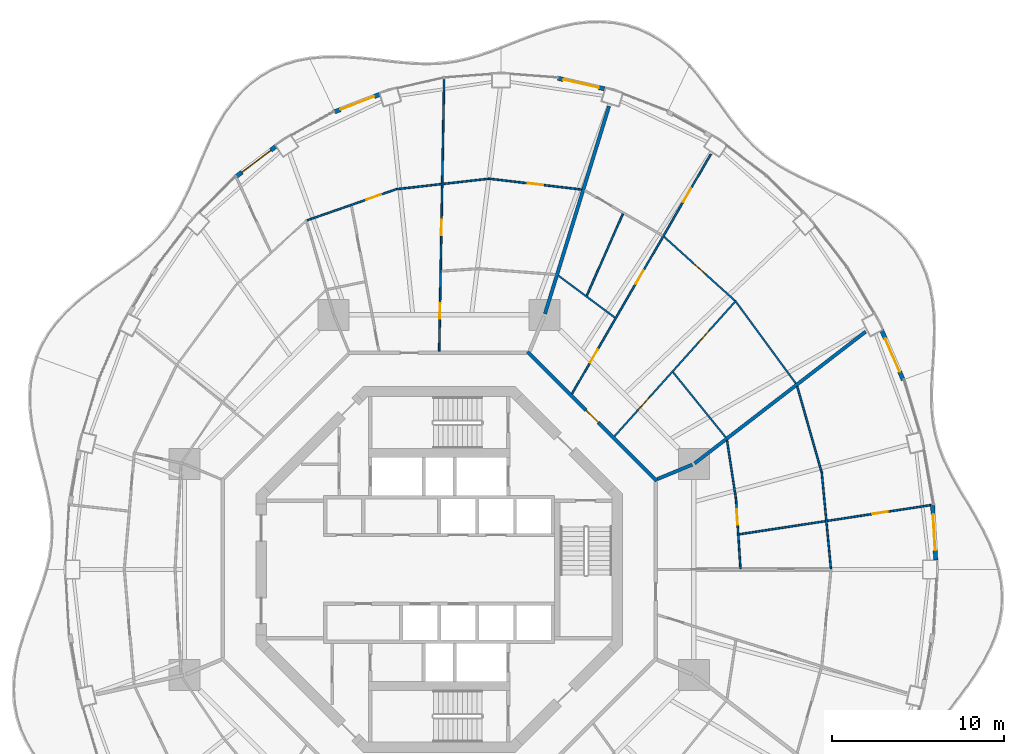
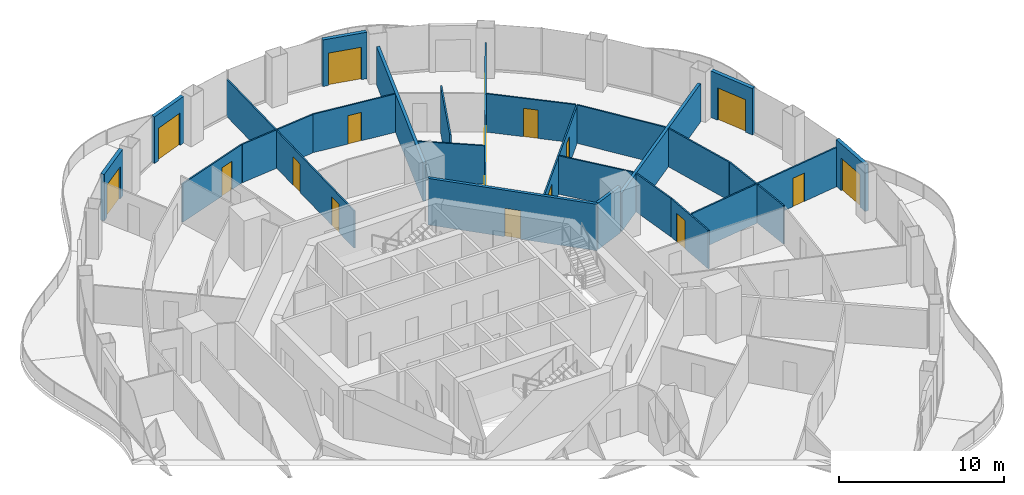
# One storey, part 15 of 19: 25 walls, 18 doors, 18 openings.
"""IFC4 building model written with IfcOpenShell, lengths in metres."""

from ifc_helpers import new_model, si_unit, direction, frame, frame_2d, origin, place, context, subcontext, project, spatial, rectangle, extrude, material, layer, layer_set, type_object, element, fill, save


model = new_model("IFC4")

# Units and contexts
model_context = context("Model", 3, precision=1e-05, world=origin(), true_north=direction((0.0, 1.0)))
body_context = subcontext(model_context, "Body", "Model", "MODEL_VIEW")
ifc_project = project(units=[si_unit("LENGTHUNIT", "METRE"), si_unit("AREAUNIT", "SQUARE_METRE"), si_unit("VOLUMEUNIT", "CUBIC_METRE"), si_unit("PLANEANGLEUNIT", "RADIAN"), si_unit("MASSUNIT", "GRAM", prefix="KILO")], contexts=[model_context])

# Site, building, storey
site_placement = place(None, origin())
site = spatial("IfcSite", under=ifc_project, at=site_placement, CompositionType="ELEMENT")
building_placement = place(site_placement, origin())
building = spatial("IfcBuilding", under=site, at=building_placement, Name="Nagisa Residences", CompositionType="ELEMENT")
storey_placement = place(building_placement, frame((0.0, 0.0, 180.699951171875)))
storey = spatial("IfcBuildingStorey", under=building, at=storey_placement, Name="L45", CompositionType="ELEMENT", Elevation=180.699951171875)

# Walls
ifc_material_1 = material(Name="Gypsum board on steel studs", Category="steel")
ifc_layer_1 = layer(ifc_material_1, 0.199951171875)
ifc_layer_set_1 = layer_set([ifc_layer_1], Name="Apartment compartment wall EI60 200")
wall_type_1 = type_object("IfcWallType", Name="Apartment compartment wall EI60 200", PredefinedType="PARTITIONING", material=ifc_layer_set_1)
wall_1_placement = place(storey_placement, frame((12.6572265625, 5.24267578125, 0.0), z_axis=(0.0, 0.0, 1.0), x_axis=(0.92383017907, 0.382802560388, 0.0)))
element("IfcWall", 1, at=wall_1_placement, inside=storey, type_object=wall_type_1, Name="wall:L45:u00", PredefinedType="PARTITIONING", context=body_context, shape_type="SweptSolid", body=[
    extrude(rectangle(XDim=2.2001953125, YDim=0.199951171875, at=frame_2d((1.10009765625, 0.0))), origin(), (0.0, 0.0, 1.0), 3.43994140625),
])
wall_2_placement = place(storey_placement, frame((14.82177734375, 6.153564453125, 0.0), z_axis=(0.0, 0.0, 1.0), x_axis=(0.792203056092, 0.610257583254, 0.0)))
element("IfcWall", 2, at=wall_2_placement, inside=storey, type_object=wall_type_1, Name="wall:L45:u01", PredefinedType="PARTITIONING", context=body_context, shape_type="SweptSolid", body=[
    extrude(rectangle(XDim=12.53271484375, YDim=0.199951171875, at=frame_2d((6.266357421875, 0.0))), origin(), (0.0, 0.0, 1.0), 2.837158203125),
])
wall_3_placement = place(storey_placement, frame((6.1376953125, 14.829833984375, 0.0), z_axis=(0.0, 0.0, 1.0), x_axis=(0.294818517221, 0.955553264818, 0.0)))
element("IfcWall", 3, at=wall_3_placement, inside=storey, type_object=wall_type_1, Name="wall:L45:u03", PredefinedType="PARTITIONING", context=body_context, shape_type="SweptSolid", body=[
    extrude(rectangle(XDim=12.619384765625, YDim=0.199951171875, at=frame_2d((6.3095703125, 0.0))), origin(), (0.0, 0.0, 1.0), 2.837158203125),
])

# Wall, opening, door
ifc_material_2 = material(Name="Gypsum board on steel studs", Category="steel")
ifc_layer_2 = layer(ifc_material_2, 0.199951171875)
ifc_layer_set_2 = layer_set([ifc_layer_2], Name="Apartment entry wall EI60 200")
wall_type_2 = type_object("IfcWallType", Name="Apartment entry wall EI60 200", PredefinedType="PARTITIONING", material=ifc_layer_set_2)
wall_4_placement = place(storey_placement, frame((12.635498046875, 5.1337890625, 0.0), z_axis=(0.0, 0.0, 1.0), x_axis=(-0.707106781187, 0.707106781187, 0.0)))
wall_4 = element("IfcWall", 4, at=wall_4_placement, inside=storey, type_object=wall_type_2, Name="wall:L45:u09", PredefinedType="PARTITIONING", context=body_context, shape_type="SweptSolid", body=[
    extrude(rectangle(XDim=10.609130859375, YDim=0.199951171875, at=frame_2d((5.3046875, 0.0))), origin(), (0.0, 0.0, 1.0), 3.43994140625),
])
opening_1_placement = place(wall_4_placement, frame((4.804443359375, 0.0, 0.0)))
opening_1 = element("IfcOpeningElement", 5, at=opening_1_placement, cuts=wall_4, Name="Opening L45-U45", PredefinedType="OPENING", context=body_context, shape_type="SweptSolid", body=[
    extrude(rectangle(XDim=1.0, YDim=2.10009765625, at=frame_2d((0.5, 1.050048828125))), frame((0.0, 0.10986328125, 0.0), z_axis=(0.0, -1.0, 0.0), x_axis=(1.0, 0.0, 0.0)), (0.0, 0.0, 1.0), 0.219970703125),
])
ifc_material_3 = material(Name="Timber fire door set", Category="wood")
door_type_1 = type_object("IfcDoorType", Name="Apartment entry door FD30S 1000x2100", OperationType="NOTDEFINED", PredefinedType="DOOR", material=ifc_material_3)
door_1_placement = place(opening_1_placement, frame((1.0, 0.0, 0.0), x_axis=(-1.0, 0.0, 0.0)))
door_1 = element("IfcDoor", 6, at=door_1_placement, inside=storey, type_object=door_type_1, Name="Entry door, Apartment 45D", OperationType="SINGLE_SWING_RIGHT", OverallHeight=2.10009765625, OverallWidth=1.0, PredefinedType="DOOR", context=body_context, shape_type="SweptSolid", body=[
    extrude(rectangle(XDim=1.0, YDim=2.10009765625, at=frame_2d((0.5, 1.050048828125))), frame((0.0, 0.02490234375, 0.0), z_axis=(0.0, -1.0, 0.0), x_axis=(1.0, 0.0, 0.0)), (0.0, 0.0, 1.0), 0.050048828125),
])
fill(opening_1, door_1)

ifc_material_4 = material(Name="Gypsum board on steel studs", Category="steel")
ifc_layer_3 = layer(ifc_material_4, 0.10009765625)
ifc_layer_set_3 = layer_set([ifc_layer_3], Name="Apartment partition 100")
wall_type_3 = type_object("IfcWallType", Name="Apartment partition 100", PredefinedType="PARTITIONING", material=ifc_layer_set_3)
wall_5_placement = place(storey_placement, frame((17.484619140625, 0.0498046875, 0.0), z_axis=(0.0, 0.0, 1.0), x_axis=(-0.063673473968, 0.997970785501, 0.0)))
wall_5 = element("IfcWall", 7, at=wall_5_placement, inside=storey, type_object=wall_type_3, Name="wall:L45:u17", PredefinedType="PARTITIONING", context=body_context, shape_type="SweptSolid", body=[
    extrude(rectangle(XDim=4.072021484375, YDim=0.10009765625, at=frame_2d((2.0361328125, 0.0))), origin(), (0.0, 0.0, 1.0), 2.837158203125),
])
opening_2_placement = place(wall_5_placement, frame((2.553955078125, 0.0, 0.0)))
opening_2 = element("IfcOpeningElement", 8, at=opening_2_placement, cuts=wall_5, Name="Opening L45-U41", PredefinedType="OPENING", context=body_context, shape_type="SweptSolid", body=[
    extrude(rectangle(XDim=0.89990234375, YDim=2.10009765625, at=frame_2d((0.449951171875, 1.050048828125))), frame((0.0, 0.06005859375, 0.0), z_axis=(0.0, -1.0, 0.0), x_axis=(1.0, 0.0, 0.0)), (0.0, 0.0, 1.0), 0.1201171875),
])
ifc_material_5 = material(Name="Timber door set", Category="wood")
door_type_2 = type_object("IfcDoorType", Name="Apartment door 900x2100", OperationType="NOTDEFINED", PredefinedType="DOOR", material=ifc_material_5)
door_2_placement = place(opening_2_placement, frame((0.89990234375, 0.0, 0.0), x_axis=(-1.0, 0.0, 0.0)))
door_2 = element("IfcDoor", 9, at=door_2_placement, inside=storey, type_object=door_type_2, Name="Door to kitchen, Apartment 45C", OperationType="SINGLE_SWING_RIGHT", OverallHeight=2.10009765625, OverallWidth=0.89990234375, PredefinedType="DOOR", context=body_context, shape_type="SweptSolid", body=[
    extrude(rectangle(XDim=0.89990234375, YDim=2.10009765625, at=frame_2d((0.449951171875, 1.050048828125))), frame((0.0, 0.02490234375, 0.0), z_axis=(0.0, -1.0, 0.0), x_axis=(1.0, 0.0, 0.0)), (0.0, 0.0, 1.0), 0.050048828125),
])
fill(opening_2, door_2)

# Wall
wall_6_placement = place(storey_placement, frame((22.734375, 0.0498046875, 0.0), z_axis=(0.0, 0.0, 1.0), x_axis=(-0.0949274088, 0.995484197292, 0.0)))
element("IfcWall", 10, at=wall_6_placement, inside=storey, type_object=wall_type_3, Name="wall:L45:u18", PredefinedType="PARTITIONING", context=body_context, shape_type="SweptSolid", body=[
    extrude(rectangle(XDim=5.647705078125, YDim=0.10009765625, at=frame_2d((2.82373046875, 0.0))), origin(), (0.0, 0.0, 1.0), 2.837158203125),
])

# Wall, opening, door
wall_7_placement = place(storey_placement, frame((17.407470703125, 2.039306640625, 0.0), z_axis=(0.0, 0.0, 1.0), x_axis=(0.98858728603, 0.150649188184, 0.0)))
wall_7 = element("IfcWall", 11, at=wall_7_placement, inside=storey, type_object=wall_type_3, Name="wall:L45:u20", PredefinedType="PARTITIONING", context=body_context, shape_type="SweptSolid", body=[
    extrude(rectangle(XDim=11.44140625, YDim=0.10009765625, at=frame_2d((5.720703125, 0.0))), origin(), (0.0, 0.0, 1.0), 2.905029296875),
])
opening_3_placement = place(wall_7_placement, frame((7.831787109375, 0.0, 0.0)))
opening_3 = element("IfcOpeningElement", 12, at=opening_3_placement, cuts=wall_7, Name="Opening L45-U44", PredefinedType="OPENING", context=body_context, shape_type="SweptSolid", body=[
    extrude(rectangle(XDim=0.89990234375, YDim=2.10009765625, at=frame_2d((0.449951171875, 1.050048828125))), frame((0.0, 0.06005859375, 0.0), z_axis=(0.0, -1.0, 0.0), x_axis=(1.0, 0.0, 0.0)), (0.0, 0.0, 1.0), 0.1201171875),
])
door_3_placement = place(opening_3_placement, origin())
door_3 = element("IfcDoor", 13, at=door_3_placement, inside=storey, type_object=door_type_2, Name="Door to master bedroom, Apartment 45C", OperationType="SINGLE_SWING_RIGHT", OverallHeight=2.10009765625, OverallWidth=0.89990234375, PredefinedType="DOOR", context=body_context, shape_type="SweptSolid", body=[
    extrude(rectangle(XDim=0.89990234375, YDim=2.10009765625, at=frame_2d((0.449951171875, 1.050048828125))), frame((0.0, 0.02490234375, 0.0), z_axis=(0.0, -1.0, 0.0), x_axis=(1.0, 0.0, 0.0)), (0.0, 0.0, 1.0), 0.050048828125),
])
fill(opening_3, door_3)

# Walls
wall_8_placement = place(storey_placement, frame((17.220947265625, 4.113037109375, 0.0), z_axis=(0.0, 0.0, 1.0), x_axis=(-0.1510806336, 0.988521442434, 0.0)))
element("IfcWall", 14, at=wall_8_placement, inside=storey, type_object=wall_type_3, Name="wall:L45:u21", PredefinedType="PARTITIONING", context=body_context, shape_type="SweptSolid", body=[
    extrude(rectangle(XDim=3.41943359375, YDim=0.10009765625, at=frame_2d((1.709716796875, 0.0))), origin(), (0.0, 0.0, 1.0), 2.837158203125),
])
wall_9_placement = place(storey_placement, frame((22.189453125, 5.67041015625, 0.0), z_axis=(0.0, 0.0, 1.0), x_axis=(-0.273819702124, 0.961781040949, 0.0)))
element("IfcWall", 15, at=wall_9_placement, inside=storey, type_object=wall_type_3, Name="wall:L45:u22", PredefinedType="PARTITIONING", context=body_context, shape_type="SweptSolid", body=[
    extrude(rectangle(XDim=5.151611328125, YDim=0.10009765625, at=frame_2d((2.57568359375, 0.0))), origin(), (0.0, 0.0, 1.0), 2.837158203125),
])
wall_10_placement = place(storey_placement, frame((16.626220703125, 7.669921875, 0.0), z_axis=(0.0, 0.0, 1.0), x_axis=(-0.628738316533, 0.777616955399, 0.0)))
element("IfcWall", 16, at=wall_10_placement, inside=storey, type_object=wall_type_3, Name="wall:L45:u23", PredefinedType="PARTITIONING", context=body_context, shape_type="SweptSolid", body=[
    extrude(rectangle(XDim=4.857177734375, YDim=0.10009765625, at=frame_2d((2.4287109375, 0.0))), origin(), (0.0, 0.0, 1.0), 2.837158203125),
])
wall_11_placement = place(storey_placement, frame((20.6923828125, 10.802001953125, 0.0), z_axis=(0.0, 0.0, 1.0), x_axis=(-0.591110768293, 0.806590391468, 0.0)))
element("IfcWall", 17, at=wall_11_placement, inside=storey, type_object=wall_type_3, Name="wall:L45:u24", PredefinedType="PARTITIONING", context=body_context, shape_type="SweptSolid", body=[
    extrude(rectangle(XDim=5.85986328125, YDim=0.10009765625, at=frame_2d((2.929931640625, 0.0))), origin(), (0.0, 0.0, 1.0), 2.837158203125),
])

# Wall, openings, doors
wall_12_placement = place(storey_placement, frame((10.177978515625, 7.732421875, 0.0), z_axis=(0.0, 0.0, 1.0), x_axis=(0.667280084362, 0.744806880348, 0.0)))
wall_12 = element("IfcWall", 18, at=wall_12_placement, inside=storey, type_object=wall_type_3, Name="wall:L45:u25", PredefinedType="PARTITIONING", context=body_context, shape_type="SweptSolid", body=[
    extrude(rectangle(XDim=10.571533203125, YDim=0.10009765625, at=frame_2d((5.28564453125, 0.0))), origin(), (0.0, 0.0, 1.0), 2.756103515625),
])
opening_4_placement = place(wall_12_placement, frame((2.069580078125, 0.0, 0.0)))
opening_4 = element("IfcOpeningElement", 19, at=opening_4_placement, cuts=wall_12, Name="Opening L45-U46", PredefinedType="OPENING", context=body_context, shape_type="SweptSolid", body=[
    extrude(rectangle(XDim=0.89990234375, YDim=2.10009765625, at=frame_2d((0.449951171875, 1.050048828125))), frame((0.0, 0.06005859375, 0.0), z_axis=(0.0, -1.0, 0.0), x_axis=(1.0, 0.0, 0.0)), (0.0, 0.0, 1.0), 0.1201171875),
])
opening_5_placement = place(wall_12_placement, frame((7.33056640625, 0.0, 0.0)))
opening_5 = element("IfcOpeningElement", 20, at=opening_5_placement, cuts=wall_12, Name="Opening L45-U48", PredefinedType="OPENING", context=body_context, shape_type="SweptSolid", body=[
    extrude(rectangle(XDim=0.89990234375, YDim=2.10009765625, at=frame_2d((0.449951171875, 1.050048828125))), frame((0.0, 0.06005859375, 0.0), z_axis=(0.0, -1.0, 0.0), x_axis=(1.0, 0.0, 0.0)), (0.0, 0.0, 1.0), 0.1201171875),
])
door_4_placement = place(opening_4_placement, frame((0.89990234375, 0.0, 0.0), x_axis=(-1.0, 0.0, 0.0)))
door_4 = element("IfcDoor", 21, at=door_4_placement, inside=storey, type_object=door_type_2, Name="Door to store, Apartment 45D", OperationType="SINGLE_SWING_LEFT", OverallHeight=2.10009765625, OverallWidth=0.89990234375, PredefinedType="DOOR", context=body_context, shape_type="SweptSolid", body=[
    extrude(rectangle(XDim=0.89990234375, YDim=2.10009765625, at=frame_2d((0.449951171875, 1.050048828125))), frame((0.0, 0.02490234375, 0.0), z_axis=(0.0, -1.0, 0.0), x_axis=(1.0, 0.0, 0.0)), (0.0, 0.0, 1.0), 0.050048828125),
])
fill(opening_4, door_4)
door_5_placement = place(opening_5_placement, frame((0.89990234375, 0.0, 0.0), x_axis=(-1.0, 0.0, 0.0)))
door_5 = element("IfcDoor", 22, at=door_5_placement, inside=storey, type_object=door_type_2, Name="Door to kitchen, Apartment 45D", OperationType="SINGLE_SWING_LEFT", OverallHeight=2.10009765625, OverallWidth=0.89990234375, PredefinedType="DOOR", context=body_context, shape_type="SweptSolid", body=[
    extrude(rectangle(XDim=0.89990234375, YDim=2.10009765625, at=frame_2d((0.449951171875, 1.050048828125))), frame((0.0, 0.02490234375, 0.0), z_axis=(0.0, -1.0, 0.0), x_axis=(1.0, 0.0, 0.0)), (0.0, 0.0, 1.0), 0.050048828125),
])
fill(opening_5, door_5)

# Wall, opening, door
wall_13_placement = place(storey_placement, frame((17.16162109375, 15.6025390625, 0.0), z_axis=(0.0, 0.0, 1.0), x_axis=(-0.742790086539, 0.66952437397, 0.0)))
wall_13 = element("IfcWall", 23, at=wall_13_placement, inside=storey, type_object=wall_type_3, Name="wall:L45:u26", PredefinedType="PARTITIONING", context=body_context, shape_type="SweptSolid", body=[
    extrude(rectangle(XDim=5.54150390625, YDim=0.10009765625, at=frame_2d((2.770751953125, 0.0))), origin(), (0.0, 0.0, 1.0), 2.837158203125),
])
opening_6_placement = place(wall_13_placement, frame((2.32080078125, 0.0, 0.0)))
opening_6 = element("IfcOpeningElement", 24, at=opening_6_placement, cuts=wall_13, Name="Opening L45-U50", PredefinedType="OPENING", context=body_context, shape_type="SweptSolid", body=[
    extrude(rectangle(XDim=0.89990234375, YDim=2.10009765625, at=frame_2d((0.449951171875, 1.050048828125))), frame((0.0, 0.06005859375, 0.0), z_axis=(0.0, -1.0, 0.0), x_axis=(1.0, 0.0, 0.0)), (0.0, 0.0, 1.0), 0.1201171875),
])
door_6_placement = place(opening_6_placement, frame((0.89990234375, 0.0, 0.0), x_axis=(-1.0, 0.0, 0.0)))
door_6 = element("IfcDoor", 25, at=door_6_placement, inside=storey, type_object=door_type_2, Name="Door to family room, Apartment 45D", OperationType="SINGLE_SWING_LEFT", OverallHeight=2.10009765625, OverallWidth=0.89990234375, PredefinedType="DOOR", context=body_context, shape_type="SweptSolid", body=[
    extrude(rectangle(XDim=0.89990234375, YDim=2.10009765625, at=frame_2d((0.449951171875, 1.050048828125))), frame((0.0, 0.02490234375, 0.0), z_axis=(0.0, -1.0, 0.0), x_axis=(1.0, 0.0, 0.0)), (0.0, 0.0, 1.0), 0.050048828125),
])
fill(opening_6, door_6)

# Wall, openings, doors
wall_14_placement = place(storey_placement, frame((7.7080078125, 10.19775390625, 0.0), z_axis=(0.0, 0.0, 1.0), x_axis=(0.501305229744, 0.865270516446, 0.0)))
wall_14 = element("IfcWall", 26, at=wall_14_placement, inside=storey, type_object=wall_type_3, Name="wall:L45:u27", PredefinedType="PARTITIONING", context=body_context, shape_type="SweptSolid", body=[
    extrude(rectangle(XDim=16.064453125, YDim=0.10009765625, at=frame_2d((8.0322265625, 0.0))), origin(), (0.0, 0.0, 1.0), 2.756103515625),
])
opening_7_placement = place(wall_14_placement, frame((2.082275390625, 0.0, 0.0)))
opening_7 = element("IfcOpeningElement", 27, at=opening_7_placement, cuts=wall_14, Name="Opening L45-U47", PredefinedType="OPENING", context=body_context, shape_type="SweptSolid", body=[
    extrude(rectangle(XDim=0.89990234375, YDim=2.10009765625, at=frame_2d((0.449951171875, 1.050048828125))), frame((0.0, 0.06005859375, 0.0), z_axis=(0.0, -1.0, 0.0), x_axis=(1.0, 0.0, 0.0)), (0.0, 0.0, 1.0), 0.1201171875),
])
opening_8_placement = place(wall_14_placement, frame((7.36865234375, 0.0, 0.0)))
opening_8 = element("IfcOpeningElement", 28, at=opening_8_placement, cuts=wall_14, Name="Opening L45-U49", PredefinedType="OPENING", context=body_context, shape_type="SweptSolid", body=[
    extrude(rectangle(XDim=0.89990234375, YDim=2.10009765625, at=frame_2d((0.449951171875, 1.050048828125))), frame((0.0, 0.06005859375, 0.0), z_axis=(0.0, -1.0, 0.0), x_axis=(1.0, 0.0, 0.0)), (0.0, 0.0, 1.0), 0.1201171875),
])
opening_9_placement = place(wall_14_placement, frame((12.86865234375, 0.0, 0.0)))
opening_9 = element("IfcOpeningElement", 29, at=opening_9_placement, cuts=wall_14, Name="Opening L45-U51", PredefinedType="OPENING", context=body_context, shape_type="SweptSolid", body=[
    extrude(rectangle(XDim=0.89990234375, YDim=2.10009765625, at=frame_2d((0.449951171875, 1.050048828125))), frame((0.0, 0.06005859375, 0.0), z_axis=(0.0, -1.0, 0.0), x_axis=(1.0, 0.0, 0.0)), (0.0, 0.0, 1.0), 0.1201171875),
])
door_7_placement = place(opening_7_placement, origin())
door_7 = element("IfcDoor", 30, at=door_7_placement, inside=storey, type_object=door_type_2, Name="Door to laundry, Apartment 45D", OperationType="SINGLE_SWING_LEFT", OverallHeight=2.10009765625, OverallWidth=0.89990234375, PredefinedType="DOOR", context=body_context, shape_type="SweptSolid", body=[
    extrude(rectangle(XDim=0.89990234375, YDim=2.10009765625, at=frame_2d((0.449951171875, 1.050048828125))), frame((0.0, 0.02490234375, 0.0), z_axis=(0.0, -1.0, 0.0), x_axis=(1.0, 0.0, 0.0)), (0.0, 0.0, 1.0), 0.050048828125),
])
fill(opening_7, door_7)
door_8_placement = place(opening_8_placement, origin())
door_8 = element("IfcDoor", 31, at=door_8_placement, inside=storey, type_object=door_type_2, Name="Door to family bathroom, Apartment 45D", OperationType="SINGLE_SWING_LEFT", OverallHeight=2.10009765625, OverallWidth=0.89990234375, PredefinedType="DOOR", context=body_context, shape_type="SweptSolid", body=[
    extrude(rectangle(XDim=0.89990234375, YDim=2.10009765625, at=frame_2d((0.449951171875, 1.050048828125))), frame((0.0, 0.02490234375, 0.0), z_axis=(0.0, -1.0, 0.0), x_axis=(1.0, 0.0, 0.0)), (0.0, 0.0, 1.0), 0.050048828125),
])
fill(opening_8, door_8)
door_9_placement = place(opening_9_placement, origin())
door_9 = element("IfcDoor", 32, at=door_9_placement, inside=storey, type_object=door_type_2, Name="Door to bedroom, Apartment 45D", OperationType="SINGLE_SWING_LEFT", OverallHeight=2.10009765625, OverallWidth=0.89990234375, PredefinedType="DOOR", context=body_context, shape_type="SweptSolid", body=[
    extrude(rectangle(XDim=0.89990234375, YDim=2.10009765625, at=frame_2d((0.449951171875, 1.050048828125))), frame((0.0, 0.02490234375, 0.0), z_axis=(0.0, -1.0, 0.0), x_axis=(1.0, 0.0, 0.0)), (0.0, 0.0, 1.0), 0.050048828125),
])
fill(opening_9, door_9)

# Walls
wall_15_placement = place(storey_placement, frame((10.20654296875, 14.609619140625, 0.0), z_axis=(0.0, 0.0, 1.0), x_axis=(-0.802769141821, 0.596289950394, 0.0)))
element("IfcWall", 33, at=wall_15_placement, inside=storey, type_object=wall_type_3, Name="wall:L45:u28", PredefinedType="PARTITIONING", context=body_context, shape_type="SweptSolid", body=[
    extrude(rectangle(XDim=4.09228515625, YDim=0.10009765625, at=frame_2d((2.046142578125, 0.0))), origin(), (0.0, 0.0, 1.0), 2.837158203125),
])
wall_16_placement = place(storey_placement, frame((8.564208984375, 15.890380859375, 0.0), z_axis=(0.0, 0.0, 1.0), x_axis=(0.404011266873, 0.914754008595, 0.0)))
element("IfcWall", 34, at=wall_16_placement, inside=storey, type_object=wall_type_3, Name="wall:L45:u30", PredefinedType="PARTITIONING", context=body_context, shape_type="SweptSolid", body=[
    extrude(rectangle(XDim=5.19921875, YDim=0.10009765625, at=frame_2d((2.599609375, 0.0))), origin(), (0.0, 0.0, 1.0), 3.43994140625),
])

# Wall, opening, door
wall_17_placement = place(storey_placement, frame((8.262451171875, 22.0498046875, 0.0), z_axis=(0.0, 0.0, 1.0), x_axis=(-0.993250089265, 0.115992500516, 0.0)))
wall_17 = element("IfcWall", 35, at=wall_17_placement, inside=storey, type_object=wall_type_3, Name="wall:L45:u32", PredefinedType="PARTITIONING", context=body_context, shape_type="SweptSolid", body=[
    extrude(rectangle(XDim=5.457763671875, YDim=0.10009765625, at=frame_2d((2.72900390625, 0.0))), origin(), (0.0, 0.0, 1.0), 2.837158203125),
])
opening_10_placement = place(wall_17_placement, frame((2.25390625, 0.0, 0.0)))
opening_10 = element("IfcOpeningElement", 36, at=opening_10_placement, cuts=wall_17, Name="Opening L45-U06", PredefinedType="OPENING", context=body_context, shape_type="SweptSolid", body=[
    extrude(rectangle(XDim=0.89990234375, YDim=2.10009765625, at=frame_2d((0.449951171875, 1.050048828125))), frame((0.0, 0.06005859375, 0.0), z_axis=(0.0, -1.0, 0.0), x_axis=(1.0, 0.0, 0.0)), (0.0, 0.0, 1.0), 0.1201171875),
])
door_10_placement = place(opening_10_placement, frame((0.89990234375, 0.0, 0.0), x_axis=(-1.0, 0.0, 0.0)))
door_10 = element("IfcDoor", 37, at=door_10_placement, inside=storey, type_object=door_type_2, Name="Door to master bedroom, Apartment 45A", OperationType="SINGLE_SWING_LEFT", OverallHeight=2.10009765625, OverallWidth=0.89990234375, PredefinedType="DOOR", context=body_context, shape_type="SweptSolid", body=[
    extrude(rectangle(XDim=0.89990234375, YDim=2.10009765625, at=frame_2d((0.449951171875, 1.050048828125))), frame((0.0, 0.02490234375, 0.0), z_axis=(0.0, -1.0, 0.0), x_axis=(1.0, 0.0, 0.0)), (0.0, 0.0, 1.0), 0.050048828125),
])
fill(opening_10, door_10)

# Wall
wall_18_placement = place(storey_placement, frame((2.841552734375, 22.67138671875, 0.0), z_axis=(0.0, 0.0, 1.0), x_axis=(-0.993660315081, -0.112424099879, 0.0)))
element("IfcWall", 38, at=wall_18_placement, inside=storey, type_object=wall_type_3, Name="wall:L45:u34", PredefinedType="PARTITIONING", context=body_context, shape_type="SweptSolid", body=[
    extrude(rectangle(XDim=5.32470703125, YDim=0.10009765625, at=frame_2d((2.662353515625, 0.0))), origin(), (0.0, 0.0, 1.0), 2.837158203125),
])

# Wall, openings, doors
wall_19_placement = place(storey_placement, frame((0.001708984375, 12.664794921875, 0.0), z_axis=(0.0, 0.0, 1.0), x_axis=(0.01792079652, 0.999839409631, 0.0)))
wall_19 = element("IfcWall", 39, at=wall_19_placement, inside=storey, type_object=wall_type_3, Name="wall:L45:u35", PredefinedType="PARTITIONING", context=body_context, shape_type="SweptSolid", body=[
    extrude(rectangle(XDim=15.925537109375, YDim=0.10009765625, at=frame_2d((7.962890625, 0.0))), origin(), (0.0, 0.0, 1.0), 2.756103515625),
])
opening_11_placement = place(wall_19_placement, frame((1.873291015625, 0.0, 0.0)))
opening_11 = element("IfcOpeningElement", 40, at=opening_11_placement, cuts=wall_19, Name="Opening L45-U02", PredefinedType="OPENING", context=body_context, shape_type="SweptSolid", body=[
    extrude(rectangle(XDim=0.89990234375, YDim=2.10009765625, at=frame_2d((0.449951171875, 1.050048828125))), frame((0.0, 0.06005859375, 0.0), z_axis=(0.0, -1.0, 0.0), x_axis=(1.0, 0.0, 0.0)), (0.0, 0.0, 1.0), 0.1201171875),
])
opening_12_placement = place(wall_19_placement, frame((6.727783203125, 0.0, 0.0)))
opening_12 = element("IfcOpeningElement", 41, at=opening_12_placement, cuts=wall_19, Name="Opening L45-U04", PredefinedType="OPENING", context=body_context, shape_type="SweptSolid", body=[
    extrude(rectangle(XDim=0.89990234375, YDim=2.10009765625, at=frame_2d((0.449951171875, 1.050048828125))), frame((0.0, 0.06005859375, 0.0), z_axis=(0.0, -1.0, 0.0), x_axis=(1.0, 0.0, 0.0)), (0.0, 0.0, 1.0), 0.1201171875),
])
door_11_placement = place(opening_11_placement, frame((0.89990234375, 0.0, 0.0), x_axis=(-1.0, 0.0, 0.0)))
door_11 = element("IfcDoor", 42, at=door_11_placement, inside=storey, type_object=door_type_2, Name="Door to laundry, Apartment 45A", OperationType="SINGLE_SWING_LEFT", OverallHeight=2.10009765625, OverallWidth=0.89990234375, PredefinedType="DOOR", context=body_context, shape_type="SweptSolid", body=[
    extrude(rectangle(XDim=0.89990234375, YDim=2.10009765625, at=frame_2d((0.449951171875, 1.050048828125))), frame((0.0, 0.02490234375, 0.0), z_axis=(0.0, -1.0, 0.0), x_axis=(1.0, 0.0, 0.0)), (0.0, 0.0, 1.0), 0.050048828125),
])
fill(opening_11, door_11)
door_12_placement = place(opening_12_placement, frame((0.89990234375, 0.0, 0.0), x_axis=(-1.0, 0.0, 0.0)))
door_12 = element("IfcDoor", 43, at=door_12_placement, inside=storey, type_object=door_type_2, Name="Door to dining room, Apartment 45A", OperationType="SINGLE_SWING_LEFT", OverallHeight=2.10009765625, OverallWidth=0.89990234375, PredefinedType="DOOR", context=body_context, shape_type="SweptSolid", body=[
    extrude(rectangle(XDim=0.89990234375, YDim=2.10009765625, at=frame_2d((0.449951171875, 1.050048828125))), frame((0.0, 0.02490234375, 0.0), z_axis=(0.0, -1.0, 0.0), x_axis=(1.0, 0.0, 0.0)), (0.0, 0.0, 1.0), 0.050048828125),
])
fill(opening_12, door_12)

# Wall, opening, door
wall_20_placement = place(storey_placement, frame((-2.451904296875, 22.08349609375, 0.0), z_axis=(0.0, 0.0, 1.0), x_axis=(-0.943916289103, -0.330184856051, 0.0)))
wall_20 = element("IfcWall", 44, at=wall_20_placement, inside=storey, type_object=wall_type_3, Name="wall:L45:u36", PredefinedType="PARTITIONING", context=body_context, shape_type="SweptSolid", body=[
    extrude(rectangle(XDim=5.517333984375, YDim=0.10009765625, at=frame_2d((2.7587890625, 0.0))), origin(), (0.0, 0.0, 1.0), 2.837158203125),
])
opening_13_placement = place(wall_20_placement, frame((0.979248046875, 0.0, 0.0)))
opening_13 = element("IfcOpeningElement", 45, at=opening_13_placement, cuts=wall_20, Name="Opening L45-U07", PredefinedType="OPENING", context=body_context, shape_type="SweptSolid", body=[
    extrude(rectangle(XDim=0.89990234375, YDim=2.10009765625, at=frame_2d((0.449951171875, 1.050048828125))), frame((0.0, 0.06005859375, 0.0), z_axis=(0.0, -1.0, 0.0), x_axis=(1.0, 0.0, 0.0)), (0.0, 0.0, 1.0), 0.1201171875),
])
door_13_placement = place(opening_13_placement, frame((0.89990234375, 0.0, 0.0), x_axis=(-1.0, 0.0, 0.0)))
door_13 = element("IfcDoor", 46, at=door_13_placement, inside=storey, type_object=door_type_2, Name="Door to living room, Apartment 45A", OperationType="SINGLE_SWING_RIGHT", OverallHeight=2.10009765625, OverallWidth=0.89990234375, PredefinedType="DOOR", context=body_context, shape_type="SweptSolid", body=[
    extrude(rectangle(XDim=0.89990234375, YDim=2.10009765625, at=frame_2d((0.449951171875, 1.050048828125))), frame((0.0, 0.02490234375, 0.0), z_axis=(0.0, -1.0, 0.0), x_axis=(1.0, 0.0, 0.0)), (0.0, 0.0, 1.0), 0.050048828125),
])
fill(opening_13, door_13)

ifc_material_6 = material(Name="Precast concrete C40/50", Category="concrete")
ifc_layer_4 = layer(ifc_material_6, 0.25)
ifc_layer_set_4 = layer_set([ifc_layer_4], Name="BALCONY DOOR WALL 250")
wall_type_4 = type_object("IfcWallType", Name="BALCONY DOOR WALL 250", PredefinedType="SOLIDWALL", material=ifc_layer_set_4)
wall_21_placement = place(storey_placement, frame((28.633056640625, 3.76171875, 0.0), z_axis=(0.0, 0.0, 1.0), x_axis=(0.057532692854, -0.998343622834, 0.0)))
wall_21 = element("IfcWall", 47, at=wall_21_placement, inside=storey, type_object=wall_type_4, Name="wall:L45:bay00", PredefinedType="SOLIDWALL", context=body_context, shape_type="SweptSolid", body=[
    extrude(rectangle(XDim=3.22509765625, YDim=0.25, at=frame_2d((1.612548828125, 0.0))), origin(), (0.0, 0.0, 1.0), 3.43994140625),
])
opening_14_placement = place(wall_21_placement, frame((0.5625, 0.0, 0.0)))
opening_14 = element("IfcOpeningElement", 48, at=opening_14_placement, cuts=wall_21, Name="Opening BD-L45-01", PredefinedType="OPENING", context=body_context, shape_type="SweptSolid", body=[
    extrude(rectangle(XDim=2.10009765625, YDim=2.39990234375, at=frame_2d((1.050048828125, 1.199951171875))), frame((0.0, 0.135009765625, 0.0), z_axis=(0.0, -1.0, 0.0), x_axis=(1.0, 0.0, 0.0)), (0.0, 0.0, 1.0), 0.27001953125),
])
ifc_material_7 = material(Name="Aluminium and clear glass", Category="aluminium")
door_type_3 = type_object("IfcDoorType", Name="BALCONY SLIDING DOOR 2100x2400", OperationType="SLIDING_TO_LEFT", PredefinedType="DOOR", material=ifc_material_7)
door_14_placement = place(opening_14_placement, origin())
door_14 = element("IfcDoor", 49, at=door_14_placement, inside=storey, type_object=door_type_3, Name="door:L45:bay00", OperationType="SLIDING_TO_LEFT", OverallHeight=2.39990234375, OverallWidth=2.10009765625, PredefinedType="DOOR", context=body_context, shape_type="SweptSolid", body=[
    extrude(rectangle(XDim=2.10009765625, YDim=2.39990234375, at=frame_2d((1.050048828125, 1.199951171875))), frame((0.0, 0.02490234375, 0.0), z_axis=(0.0, -1.0, 0.0), x_axis=(1.0, 0.0, 0.0)), (0.0, 0.0, 1.0), 0.050048828125),
])
fill(opening_14, door_14)

wall_22_placement = place(storey_placement, frame((25.679443359375, 13.883056640625, 0.0), z_axis=(0.0, 0.0, 1.0), x_axis=(0.397620521824, -0.917549955384, 0.0)))
wall_22 = element("IfcWall", 50, at=wall_22_placement, inside=storey, type_object=wall_type_4, Name="wall:L45:bay03", PredefinedType="SOLIDWALL", context=body_context, shape_type="SweptSolid", body=[
    extrude(rectangle(XDim=3.141845703125, YDim=0.25, at=frame_2d((1.57080078125, 0.0))), origin(), (0.0, 0.0, 1.0), 3.43994140625),
])
opening_15_placement = place(wall_22_placement, frame((0.52099609375, 0.0, 0.0)))
opening_15 = element("IfcOpeningElement", 51, at=opening_15_placement, cuts=wall_22, Name="Opening BD-L45-02", PredefinedType="OPENING", context=body_context, shape_type="SweptSolid", body=[
    extrude(rectangle(XDim=2.10009765625, YDim=2.39990234375, at=frame_2d((1.050048828125, 1.199951171875))), frame((0.0, 0.135009765625, 0.0), z_axis=(0.0, -1.0, 0.0), x_axis=(1.0, 0.0, 0.0)), (0.0, 0.0, 1.0), 0.27001953125),
])
door_15_placement = place(opening_15_placement, origin())
door_15 = element("IfcDoor", 52, at=door_15_placement, inside=storey, type_object=door_type_3, Name="door:L45:bay03", OperationType="SLIDING_TO_LEFT", OverallHeight=2.39990234375, OverallWidth=2.10009765625, PredefinedType="DOOR", context=body_context, shape_type="SweptSolid", body=[
    extrude(rectangle(XDim=2.10009765625, YDim=2.39990234375, at=frame_2d((1.050048828125, 1.199951171875))), frame((0.0, 0.02490234375, 0.0), z_axis=(0.0, -1.0, 0.0), x_axis=(1.0, 0.0, 0.0)), (0.0, 0.0, 1.0), 0.050048828125),
])
fill(opening_15, door_15)

wall_23_placement = place(storey_placement, frame((6.884521484375, 28.506103515625, 0.0), z_axis=(0.0, 0.0, 1.0), x_axis=(0.975324329911, -0.220776926974, 0.0)))
wall_23 = element("IfcWall", 53, at=wall_23_placement, inside=storey, type_object=wall_type_4, Name="wall:L45:bay10", PredefinedType="SOLIDWALL", context=body_context, shape_type="SweptSolid", body=[
    extrude(rectangle(XDim=2.787841796875, YDim=0.25, at=frame_2d((1.39404296875, 0.0))), origin(), (0.0, 0.0, 1.0), 3.43994140625),
])
opening_16_placement = place(wall_23_placement, frame((0.343994140625, 0.0, 0.0)))
opening_16 = element("IfcOpeningElement", 54, at=opening_16_placement, cuts=wall_23, Name="Opening BD-L45-04", PredefinedType="OPENING", context=body_context, shape_type="SweptSolid", body=[
    extrude(rectangle(XDim=2.10009765625, YDim=2.39990234375, at=frame_2d((1.050048828125, 1.199951171875))), frame((0.0, 0.135009765625, 0.0), z_axis=(0.0, -1.0, 0.0), x_axis=(1.0, 0.0, 0.0)), (0.0, 0.0, 1.0), 0.27001953125),
])
door_16_placement = place(opening_16_placement, origin())
door_16 = element("IfcDoor", 55, at=door_16_placement, inside=storey, type_object=door_type_3, Name="door:L45:bay10", OperationType="SLIDING_TO_LEFT", OverallHeight=2.39990234375, OverallWidth=2.10009765625, PredefinedType="DOOR", context=body_context, shape_type="SweptSolid", body=[
    extrude(rectangle(XDim=2.10009765625, YDim=2.39990234375, at=frame_2d((1.050048828125, 1.199951171875))), frame((0.0, 0.02490234375, 0.0), z_axis=(0.0, -1.0, 0.0), x_axis=(1.0, 0.0, 0.0)), (0.0, 0.0, 1.0), 0.050048828125),
])
fill(opening_16, door_16)

wall_24_placement = place(storey_placement, frame((-6.0654296875, 26.560302734375, 0.0), z_axis=(0.0, 0.0, 1.0), x_axis=(0.932795487898, 0.360406128911, 0.0)))
wall_24 = element("IfcWall", 56, at=wall_24_placement, inside=storey, type_object=wall_type_4, Name="wall:L45:bay14", PredefinedType="SOLIDWALL", context=body_context, shape_type="SweptSolid", body=[
    extrude(rectangle(XDim=2.8193359375, YDim=0.25, at=frame_2d((1.40966796875, 0.0))), origin(), (0.0, 0.0, 1.0), 3.43994140625),
])
opening_17_placement = place(wall_24_placement, frame((0.359619140625, 0.0, 0.0)))
opening_17 = element("IfcOpeningElement", 57, at=opening_17_placement, cuts=wall_24, Name="Opening BD-L45-05", PredefinedType="OPENING", context=body_context, shape_type="SweptSolid", body=[
    extrude(rectangle(XDim=2.10009765625, YDim=2.39990234375, at=frame_2d((1.050048828125, 1.199951171875))), frame((0.0, 0.135009765625, 0.0), z_axis=(0.0, -1.0, 0.0), x_axis=(1.0, 0.0, 0.0)), (0.0, 0.0, 1.0), 0.27001953125),
])
door_17_placement = place(opening_17_placement, origin())
door_17 = element("IfcDoor", 58, at=door_17_placement, inside=storey, type_object=door_type_3, Name="door:L45:bay14", OperationType="SLIDING_TO_LEFT", OverallHeight=2.39990234375, OverallWidth=2.10009765625, PredefinedType="DOOR", context=body_context, shape_type="SweptSolid", body=[
    extrude(rectangle(XDim=2.10009765625, YDim=2.39990234375, at=frame_2d((1.050048828125, 1.199951171875))), frame((0.0, 0.02490234375, 0.0), z_axis=(0.0, -1.0, 0.0), x_axis=(1.0, 0.0, 0.0)), (0.0, 0.0, 1.0), 0.050048828125),
])
fill(opening_17, door_17)

wall_25_placement = place(storey_placement, frame((-11.771728515625, 22.80859375, 0.0), z_axis=(0.0, 0.0, 1.0), x_axis=(0.796055733703, 0.60522332146, 0.0)))
wall_25 = element("IfcWall", 59, at=wall_25_placement, inside=storey, type_object=wall_type_4, Name="wall:L45:bay16", PredefinedType="SOLIDWALL", context=body_context, shape_type="SweptSolid", body=[
    extrude(rectangle(XDim=2.9169921875, YDim=0.25, at=frame_2d((1.45849609375, 0.0))), origin(), (0.0, 0.0, 1.0), 3.43994140625),
])
opening_18_placement = place(wall_25_placement, frame((0.408447265625, 0.0, 0.0)))
opening_18 = element("IfcOpeningElement", 60, at=opening_18_placement, cuts=wall_25, Name="Opening BD-L45-06", PredefinedType="OPENING", context=body_context, shape_type="SweptSolid", body=[
    extrude(rectangle(XDim=2.10009765625, YDim=2.39990234375, at=frame_2d((1.050048828125, 1.199951171875))), frame((0.0, 0.135009765625, 0.0), z_axis=(0.0, -1.0, 0.0), x_axis=(1.0, 0.0, 0.0)), (0.0, 0.0, 1.0), 0.27001953125),
])
door_18_placement = place(opening_18_placement, origin())
door_18 = element("IfcDoor", 61, at=door_18_placement, inside=storey, type_object=door_type_3, Name="door:L45:bay16", OperationType="SLIDING_TO_LEFT", OverallHeight=2.39990234375, OverallWidth=2.10009765625, PredefinedType="DOOR", context=body_context, shape_type="SweptSolid", body=[
    extrude(rectangle(XDim=2.10009765625, YDim=2.39990234375, at=frame_2d((1.050048828125, 1.199951171875))), frame((0.0, 0.02490234375, 0.0), z_axis=(0.0, -1.0, 0.0), x_axis=(1.0, 0.0, 0.0)), (0.0, 0.0, 1.0), 0.050048828125),
])
fill(opening_18, door_18)

save(model, "model.ifc")
